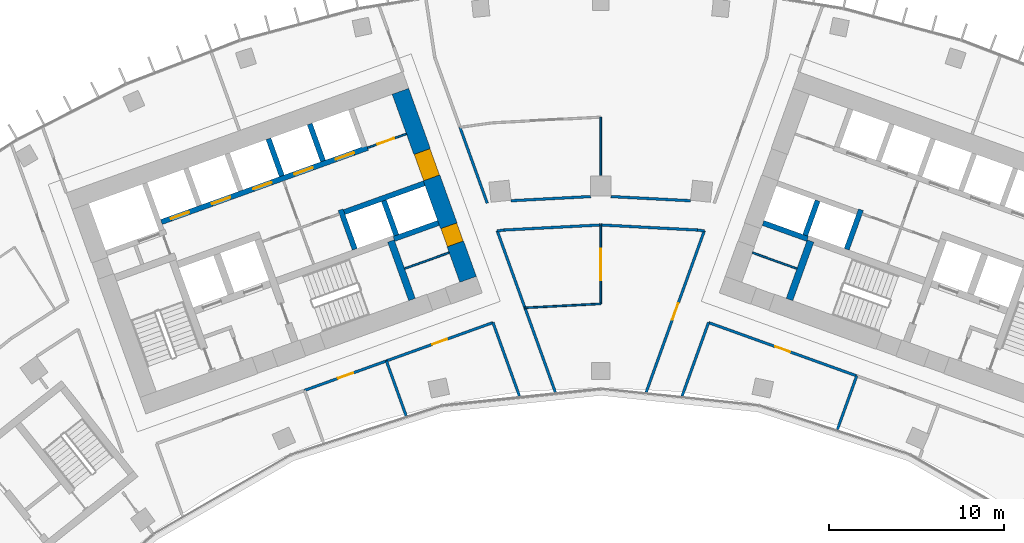
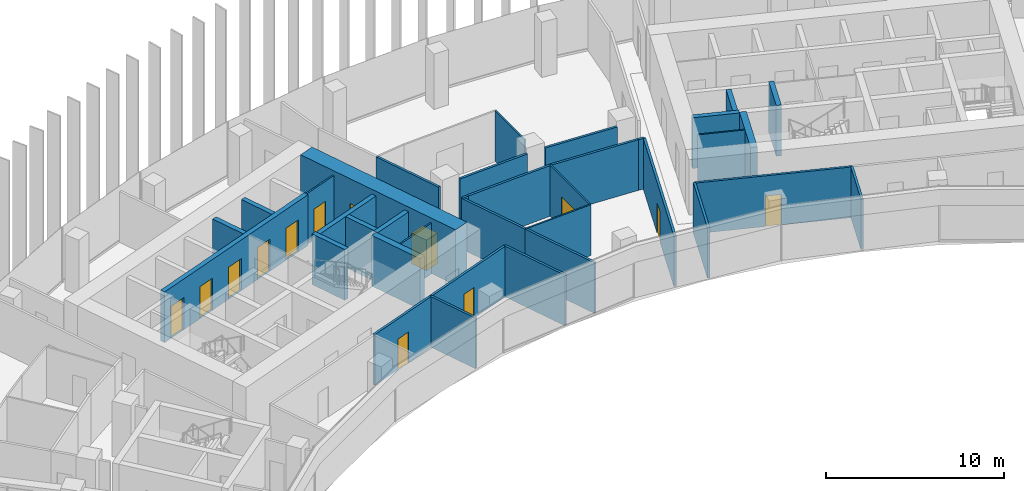
# One storey, part 14 of 20: 36 walls, 13 doors, 13 openings.
"""IFC4 building model written with IfcOpenShell, lengths in metres."""

from ifc_helpers import new_model, si_unit, direction, frame, frame_2d, origin, place, context, subcontext, project, spatial, rectangle, extrude, material, layer, layer_set, type_object, element, fill, save


model = new_model("IFC4")

# Units and contexts
model_context = context("Model", 3, precision=1e-05, world=origin(), true_north=direction((0.0, 1.0)))
body_context = subcontext(model_context, "Body", "Model", "MODEL_VIEW")
ifc_project = project(units=[si_unit("LENGTHUNIT", "METRE"), si_unit("AREAUNIT", "SQUARE_METRE"), si_unit("VOLUMEUNIT", "CUBIC_METRE"), si_unit("PLANEANGLEUNIT", "RADIAN"), si_unit("MASSUNIT", "GRAM", prefix="KILO")], contexts=[model_context])

# Site, building, storey
site_placement = place(None, origin())
site = spatial("IfcSite", under=ifc_project, at=site_placement, CompositionType="ELEMENT")
building_placement = place(site_placement, origin())
building = spatial("IfcBuilding", under=site, at=building_placement, Name="Stone Belt Terrace Tower", CompositionType="ELEMENT")
storey_placement = place(building_placement, frame((0.0, 0.0, 201.0)))
storey = spatial("IfcBuildingStorey", under=building, at=storey_placement, Name="L48", CompositionType="ELEMENT", Elevation=201.0)

# Wall
ifc_material_1 = material(Name="Plasterboard partition")
ifc_layer_1 = layer(ifc_material_1, 0.10009765625)
ifc_layer_set_1 = layer_set([ifc_layer_1], Name="Core partition 100")
wall_type_1 = type_object("IfcWallType", Name="Core partition 100", PredefinedType="PARTITIONING", material=ifc_layer_set_1)
wall_1_placement = place(storey_placement, frame((-11.187744140625, 50.2822265625, 0.0), z_axis=(0.0, 0.0, 1.0), x_axis=(0.940949642365, 0.338546555931, 0.0)))
element("IfcWall", 1, at=wall_1_placement, inside=storey, type_object=wall_type_1, Name="Core A wall", PredefinedType="PARTITIONING", context=body_context, shape_type="SweptSolid", body=[
    extrude(rectangle(XDim=2.699951171875, YDim=0.10009765625, at=frame_2d((1.35009765625, 0.0))), origin(), (0.0, 0.0, 1.0), 3.47998046875),
])

# Wall, opening, door
wall_2_placement = place(storey_placement, frame((-13.29638671875, 57.17529296875, 0.0), z_axis=(0.0, 0.0, 1.0), x_axis=(0.940904627055, 0.338671644496, 0.0)))
wall_2 = element("IfcWall", 2, at=wall_2_placement, inside=storey, type_object=wall_type_1, Name="Core A wall", PredefinedType="PARTITIONING", context=body_context, shape_type="SweptSolid", body=[
    extrude(rectangle(XDim=2.35009765625, YDim=0.10009765625, at=frame_2d((1.175048828125, 0.0))), origin(), (0.0, 0.0, 1.0), 3.47998046875),
])
opening_1_placement = place(wall_2_placement, frame((0.60009765625, 0.0, 0.0)))
opening_1 = element("IfcOpeningElement", 3, at=opening_1_placement, cuts=wall_2, Name="Opening L48-C01", PredefinedType="OPENING", context=body_context, shape_type="SweptSolid", body=[
    extrude(rectangle(XDim=1.0, YDim=2.10009765625, at=frame_2d((0.5, 1.050048828125))), frame((0.0, 0.06005859375, 0.0), z_axis=(0.0, -1.0, 0.0), x_axis=(1.0, 0.0, 0.0)), (0.0, 0.0, 1.0), 0.1201171875),
])
ifc_material_2 = material(Name="Timber door leaf", Category="wood")
door_type_1 = type_object("IfcDoorType", Name="Core room door 1000", OperationType="SINGLE_SWING_LEFT", PredefinedType="DOOR", material=ifc_material_2)
door_1_placement = place(opening_1_placement, origin())
door_1 = element("IfcDoor", 4, at=door_1_placement, inside=storey, type_object=door_type_1, Name="Door to Staff pantry core A", OperationType="SINGLE_SWING_LEFT", OverallHeight=2.10009765625, OverallWidth=1.0, PredefinedType="DOOR", context=body_context, shape_type="SweptSolid", body=[
    extrude(rectangle(XDim=1.0, YDim=2.10009765625, at=frame_2d((0.5, 1.050048828125))), frame((0.0, 0.02490234375, 0.0), z_axis=(0.0, -1.0, 0.0), x_axis=(1.0, 0.0, 0.0)), (0.0, 0.0, 1.0), 0.050048828125),
])
fill(opening_1, door_1)

# Wall
wall_3_placement = place(storey_placement, frame((11.187744140625, 50.2822265625, 0.0), z_axis=(0.0, 0.0, 1.0), x_axis=(-0.940949642365, 0.338546555931, 0.0)))
element("IfcWall", 5, at=wall_3_placement, inside=storey, type_object=wall_type_1, Name="Core B wall", PredefinedType="PARTITIONING", context=body_context, shape_type="SweptSolid", body=[
    extrude(rectangle(XDim=2.699951171875, YDim=0.10009765625, at=frame_2d((1.35009765625, 0.0))), origin(), (0.0, 0.0, 1.0), 3.47998046875),
])

# Wall, openings, doors
ifc_material_3 = material(Name="Concrete B60", Category="concrete")
ifc_layer_2 = layer(ifc_material_3, 1.0)
ifc_layer_set_2 = layer_set([ifc_layer_2], Name="Core wall 1000 B60")
wall_type_2 = type_object("IfcWallType", Name="Core wall 1000 B60", PredefinedType="SHEAR", material=ifc_layer_set_2)
wall_4_placement = place(storey_placement, frame((-7.567138671875, 49.672119140625, 0.0), z_axis=(0.0, 0.0, 1.0), x_axis=(-0.338625431531, 0.940921259788, 0.0)))
wall_4 = element("IfcWall", 6, at=wall_4_placement, inside=storey, type_object=wall_type_2, Name="Core A wall end_b L48", PredefinedType="SHEAR", context=body_context, shape_type="SweptSolid", body=[
    extrude(rectangle(XDim=11.400146484375, YDim=1.0, at=frame_2d((5.7001953125, 0.0))), origin(), (0.0, 0.0, 1.0), 3.800048828125),
])
opening_2_placement = place(wall_4_placement, frame((6.14990234375, 0.0, 0.0)))
opening_2 = element("IfcOpeningElement", 7, at=opening_2_placement, cuts=wall_4, Name="Opening L48-C07", PredefinedType="OPENING", context=body_context, shape_type="SweptSolid", body=[
    extrude(rectangle(XDim=1.60009765625, YDim=2.10009765625, at=frame_2d((0.800048828125, 1.050048828125))), frame((0.0, 0.510009765625, 0.0), z_axis=(0.0, -1.0, 0.0), x_axis=(1.0, 0.0, 0.0)), (0.0, 0.0, 1.0), 1.02001953125),
])
opening_3_placement = place(wall_4_placement, frame((2.14990234375, 0.0, 0.0)))
opening_3 = element("IfcOpeningElement", 8, at=opening_3_placement, cuts=wall_4, Name="Opening L48-C13", PredefinedType="OPENING", context=body_context, shape_type="SweptSolid", body=[
    extrude(rectangle(XDim=1.10009765625, YDim=2.10009765625, at=frame_2d((0.550048828125, 1.050048828125))), frame((0.0, 0.510009765625, 0.0), z_axis=(0.0, -1.0, 0.0), x_axis=(1.0, 0.0, 0.0)), (0.0, 0.0, 1.0), 1.02001953125),
])
door_type_2 = type_object("IfcDoorType", Name="Core room door 1100", OperationType="SINGLE_SWING_LEFT", PredefinedType="DOOR", material=ifc_material_2)
door_2_placement = place(opening_3_placement, origin())
door_2 = element("IfcDoor", 9, at=door_2_placement, inside=storey, type_object=door_type_2, Name="Door to Accessible WC core A", OperationType="SINGLE_SWING_RIGHT", OverallHeight=2.10009765625, OverallWidth=1.10009765625, PredefinedType="DOOR", context=body_context, shape_type="SweptSolid", body=[
    extrude(rectangle(XDim=1.10009765625, YDim=2.10009765625, at=frame_2d((0.550048828125, 1.050048828125))), frame((0.0, 0.47998046875, 0.0), z_axis=(0.0, -1.0, 0.0), x_axis=(1.0, 0.0, 0.0)), (0.0, 0.0, 1.0), 0.9599609375),
])
fill(opening_3, door_2)
ifc_material_4 = material(Name="Glazed aluminium door leaf", Category="aluminium")
door_type_3 = type_object("IfcDoorType", Name="Lift lobby entrance door 1600", OperationType="DOUBLE_DOOR_SINGLE_SWING", PredefinedType="DOOR", material=ifc_material_4)
door_3_placement = place(opening_2_placement, origin())
door_3 = element("IfcDoor", 10, at=door_3_placement, inside=storey, type_object=door_type_3, Name="Lift lobby entrance door core A", OperationType="DOUBLE_DOOR_SINGLE_SWING", OverallHeight=2.10009765625, OverallWidth=1.60009765625, PredefinedType="DOOR", context=body_context, shape_type="SweptSolid", body=[
    extrude(rectangle(XDim=1.60009765625, YDim=2.10009765625, at=frame_2d((0.800048828125, 1.050048828125))), frame((0.0, 0.47998046875, 0.0), z_axis=(0.0, -1.0, 0.0), x_axis=(1.0, 0.0, 0.0)), (0.0, 0.0, 1.0), 0.9599609375),
])
fill(opening_2, door_3)

ifc_material_5 = material(Name="Concrete B80", Category="concrete")
ifc_layer_3 = layer(ifc_material_5, 0.300048828125)
ifc_layer_set_3 = layer_set([ifc_layer_3], Name="Lift shaft wall 300")
wall_type_3 = type_object("IfcWallType", Name="Lift shaft wall 300", PredefinedType="SHEAR", material=ifc_layer_set_3)
wall_5_placement = place(storey_placement, frame((-25.05810546875, 52.9423828125, 0.0), z_axis=(0.0, 0.0, 1.0), x_axis=(0.940920770291, 0.338626791666, 0.0)))
wall_5 = element("IfcWall", 11, at=wall_5_placement, inside=storey, type_object=wall_type_3, Name="Core A wall", PredefinedType="SHEAR", context=body_context, shape_type="SweptSolid", body=[
    extrude(rectangle(XDim=12.500244140625, YDim=0.300048828125, at=frame_2d((6.25, 0.0))), origin(), (0.0, 0.0, 1.0), 3.47998046875),
])
opening_4_placement = place(wall_5_placement, frame((0.570068359375, 0.0, 0.0)))
opening_4 = element("IfcOpeningElement", 12, at=opening_4_placement, cuts=wall_5, Name="Opening L48-LD01", PredefinedType="OPENING", context=body_context, shape_type="SweptSolid", body=[
    extrude(rectangle(XDim=1.10009765625, YDim=2.199951171875, at=frame_2d((0.550048828125, 1.10009765625))), frame((0.0, 0.159912109375, 0.0), z_axis=(0.0, -1.0, 0.0), x_axis=(1.0, 0.0, 0.0)), (0.0, 0.0, 1.0), 0.320068359375),
])
opening_5_placement = place(wall_5_placement, frame((3.070068359375, 0.0, 0.0)))
opening_5 = element("IfcOpeningElement", 13, at=opening_5_placement, cuts=wall_5, Name="Opening L48-LD02", PredefinedType="OPENING", context=body_context, shape_type="SweptSolid", body=[
    extrude(rectangle(XDim=1.10009765625, YDim=2.199951171875, at=frame_2d((0.550048828125, 1.10009765625))), frame((0.0, 0.159912109375, 0.0), z_axis=(0.0, -1.0, 0.0), x_axis=(1.0, 0.0, 0.0)), (0.0, 0.0, 1.0), 0.320068359375),
])
opening_6_placement = place(wall_5_placement, frame((5.570068359375, 0.0, 0.0)))
opening_6 = element("IfcOpeningElement", 14, at=opening_6_placement, cuts=wall_5, Name="Opening L48-LD03", PredefinedType="OPENING", context=body_context, shape_type="SweptSolid", body=[
    extrude(rectangle(XDim=1.10009765625, YDim=2.199951171875, at=frame_2d((0.550048828125, 1.10009765625))), frame((0.0, 0.159912109375, 0.0), z_axis=(0.0, -1.0, 0.0), x_axis=(1.0, 0.0, 0.0)), (0.0, 0.0, 1.0), 0.320068359375),
])
opening_7_placement = place(wall_5_placement, frame((8.070068359375, 0.0, 0.0)))
opening_7 = element("IfcOpeningElement", 15, at=opening_7_placement, cuts=wall_5, Name="Opening L48-LD04", PredefinedType="OPENING", context=body_context, shape_type="SweptSolid", body=[
    extrude(rectangle(XDim=1.10009765625, YDim=2.199951171875, at=frame_2d((0.550048828125, 1.10009765625))), frame((0.0, 0.159912109375, 0.0), z_axis=(0.0, -1.0, 0.0), x_axis=(1.0, 0.0, 0.0)), (0.0, 0.0, 1.0), 0.320068359375),
])
opening_8_placement = place(wall_5_placement, frame((10.570068359375, 0.0, 0.0)))
opening_8 = element("IfcOpeningElement", 16, at=opening_8_placement, cuts=wall_5, Name="Opening L48-LD05", PredefinedType="OPENING", context=body_context, shape_type="SweptSolid", body=[
    extrude(rectangle(XDim=1.10009765625, YDim=2.199951171875, at=frame_2d((0.550048828125, 1.10009765625))), frame((0.0, 0.159912109375, 0.0), z_axis=(0.0, -1.0, 0.0), x_axis=(1.0, 0.0, 0.0)), (0.0, 0.0, 1.0), 0.320068359375),
])
ifc_material_6 = material(Name="Stainless steel door leaf", Category="steel")
door_type_4 = type_object("IfcDoorType", Name="Landing door 1100", OperationType="SLIDING_TO_LEFT", PredefinedType="DOOR", material=ifc_material_6)
door_4_placement = place(opening_4_placement, origin())
door_4 = element("IfcDoor", 17, at=door_4_placement, inside=storey, type_object=door_type_4, Name="Landing door MR1 core A", OperationType="SLIDING_TO_LEFT", OverallHeight=2.199951171875, OverallWidth=1.10009765625, PredefinedType="DOOR", context=body_context, shape_type="SweptSolid", body=[
    extrude(rectangle(XDim=1.10009765625, YDim=2.199951171875, at=frame_2d((0.550048828125, 1.10009765625))), frame((0.0, 0.02490234375, 0.0), z_axis=(0.0, -1.0, 0.0), x_axis=(1.0, 0.0, 0.0)), (0.0, 0.0, 1.0), 0.050048828125),
])
fill(opening_4, door_4)
door_5_placement = place(opening_5_placement, origin())
door_5 = element("IfcDoor", 18, at=door_5_placement, inside=storey, type_object=door_type_4, Name="Landing door MR2 core A", OperationType="SLIDING_TO_LEFT", OverallHeight=2.199951171875, OverallWidth=1.10009765625, PredefinedType="DOOR", context=body_context, shape_type="SweptSolid", body=[
    extrude(rectangle(XDim=1.10009765625, YDim=2.199951171875, at=frame_2d((0.550048828125, 1.10009765625))), frame((0.0, 0.02490234375, 0.0), z_axis=(0.0, -1.0, 0.0), x_axis=(1.0, 0.0, 0.0)), (0.0, 0.0, 1.0), 0.050048828125),
])
fill(opening_5, door_5)
door_6_placement = place(opening_6_placement, origin())
door_6 = element("IfcDoor", 19, at=door_6_placement, inside=storey, type_object=door_type_4, Name="Landing door MR3 core A", OperationType="SLIDING_TO_LEFT", OverallHeight=2.199951171875, OverallWidth=1.10009765625, PredefinedType="DOOR", context=body_context, shape_type="SweptSolid", body=[
    extrude(rectangle(XDim=1.10009765625, YDim=2.199951171875, at=frame_2d((0.550048828125, 1.10009765625))), frame((0.0, 0.02490234375, 0.0), z_axis=(0.0, -1.0, 0.0), x_axis=(1.0, 0.0, 0.0)), (0.0, 0.0, 1.0), 0.050048828125),
])
fill(opening_6, door_6)
door_7_placement = place(opening_7_placement, origin())
door_7 = element("IfcDoor", 20, at=door_7_placement, inside=storey, type_object=door_type_4, Name="Landing door MR4 core A", OperationType="SLIDING_TO_LEFT", OverallHeight=2.199951171875, OverallWidth=1.10009765625, PredefinedType="DOOR", context=body_context, shape_type="SweptSolid", body=[
    extrude(rectangle(XDim=1.10009765625, YDim=2.199951171875, at=frame_2d((0.550048828125, 1.10009765625))), frame((0.0, 0.02490234375, 0.0), z_axis=(0.0, -1.0, 0.0), x_axis=(1.0, 0.0, 0.0)), (0.0, 0.0, 1.0), 0.050048828125),
])
fill(opening_7, door_7)
door_8_placement = place(opening_8_placement, origin())
door_8 = element("IfcDoor", 21, at=door_8_placement, inside=storey, type_object=door_type_4, Name="Landing door MR5 core A", OperationType="SLIDING_TO_LEFT", OverallHeight=2.199951171875, OverallWidth=1.10009765625, PredefinedType="DOOR", context=body_context, shape_type="SweptSolid", body=[
    extrude(rectangle(XDim=1.10009765625, YDim=2.199951171875, at=frame_2d((0.550048828125, 1.10009765625))), frame((0.0, 0.02490234375, 0.0), z_axis=(0.0, -1.0, 0.0), x_axis=(1.0, 0.0, 0.0)), (0.0, 0.0, 1.0), 0.050048828125),
])
fill(opening_8, door_8)

# Walls
wall_6_placement = place(storey_placement, frame((-18.193115234375, 55.572509765625, 0.0), z_axis=(0.0, 0.0, 1.0), x_axis=(-0.338535034312, 0.940953787677, 0.0)))
element("IfcWall", 22, at=wall_6_placement, inside=storey, type_object=wall_type_3, Name="Core A wall", PredefinedType="SHEAR", context=body_context, shape_type="SweptSolid", body=[
    extrude(rectangle(XDim=2.25, YDim=0.300048828125, at=frame_2d((1.125, 0.0))), origin(), (0.0, 0.0, 1.0), 3.47998046875),
])
wall_7_placement = place(storey_placement, frame((-14.029052734375, 51.38525390625, 0.0), z_axis=(0.0, 0.0, 1.0), x_axis=(-0.338661829791, 0.940908159728, 0.0)))
element("IfcWall", 23, at=wall_7_placement, inside=storey, type_object=wall_type_3, Name="Core A wall", PredefinedType="SHEAR", context=body_context, shape_type="SweptSolid", body=[
    extrude(rectangle(XDim=2.39990234375, YDim=0.300048828125, at=frame_2d((1.199951171875, 0.0))), origin(), (0.0, 0.0, 1.0), 3.47998046875),
])
wall_8_placement = place(storey_placement, frame((-14.6328125, 53.506103515625, 0.0), z_axis=(0.0, 0.0, 1.0), x_axis=(0.940931684323, 0.338596464007, 0.0)))
element("IfcWall", 24, at=wall_8_placement, inside=storey, type_object=wall_type_3, Name="Core A wall", PredefinedType="SHEAR", context=body_context, shape_type="SweptSolid", body=[
    extrude(rectangle(XDim=4.849609375, YDim=0.300048828125, at=frame_2d((2.4248046875, 0.0))), origin(), (0.0, 0.0, 1.0), 3.47998046875),
])
wall_9_placement = place(storey_placement, frame((-15.8408203125, 56.419189453125, 0.0), z_axis=(0.0, 0.0, 1.0), x_axis=(-0.338569601369, 0.940941350472, 0.0)))
element("IfcWall", 25, at=wall_9_placement, inside=storey, type_object=wall_type_3, Name="Core A wall", PredefinedType="SHEAR", context=body_context, shape_type="SweptSolid", body=[
    extrude(rectangle(XDim=2.249755859375, YDim=0.300048828125, at=frame_2d((1.125, 0.0))), origin(), (0.0, 0.0, 1.0), 3.47998046875),
])
wall_10_placement = place(storey_placement, frame((-11.797119140625, 51.975830078125, 0.0), z_axis=(0.0, 0.0, 1.0), x_axis=(0.940910465161, 0.33865542451, 0.0)))
element("IfcWall", 26, at=wall_10_placement, inside=storey, type_object=wall_type_3, Name="Core A wall", PredefinedType="SHEAR", context=body_context, shape_type="SweptSolid", body=[
    extrude(rectangle(XDim=2.69970703125, YDim=0.300048828125, at=frame_2d((1.349853515625, 0.0))), origin(), (0.0, 0.0, 1.0), 3.47998046875),
])
wall_11_placement = place(storey_placement, frame((-11.659912109375, 52.184814453125, 0.0), z_axis=(0.0, 0.0, 1.0), x_axis=(-0.338670064856, 0.940905195634, 0.0)))
element("IfcWall", 27, at=wall_11_placement, inside=storey, type_object=wall_type_3, Name="Core A wall", PredefinedType="SHEAR", context=body_context, shape_type="SweptSolid", body=[
    extrude(rectangle(XDim=2.099853515625, YDim=0.300048828125, at=frame_2d((1.0498046875, 0.0))), origin(), (0.0, 0.0, 1.0), 3.47998046875),
])
wall_12_placement = place(storey_placement, frame((14.029052734375, 51.38525390625, 0.0), z_axis=(0.0, 0.0, 1.0), x_axis=(0.338661829791, 0.940908159728, 0.0)))
element("IfcWall", 28, at=wall_12_placement, inside=storey, type_object=wall_type_3, Name="Core B wall", PredefinedType="SHEAR", context=body_context, shape_type="SweptSolid", body=[
    extrude(rectangle(XDim=2.39990234375, YDim=0.300048828125, at=frame_2d((1.199951171875, 0.0))), origin(), (0.0, 0.0, 1.0), 3.47998046875),
])
wall_13_placement = place(storey_placement, frame((11.797119140625, 51.975830078125, 0.0), z_axis=(0.0, 0.0, 1.0), x_axis=(-0.940910465161, 0.33865542451, 0.0)))
element("IfcWall", 29, at=wall_13_placement, inside=storey, type_object=wall_type_3, Name="Core B wall", PredefinedType="SHEAR", context=body_context, shape_type="SweptSolid", body=[
    extrude(rectangle(XDim=2.69970703125, YDim=0.300048828125, at=frame_2d((1.349853515625, 0.0))), origin(), (0.0, 0.0, 1.0), 3.47998046875),
])
wall_14_placement = place(storey_placement, frame((11.659912109375, 52.184814453125, 0.0), z_axis=(0.0, 0.0, 1.0), x_axis=(0.338670064856, 0.940905195634, 0.0)))
element("IfcWall", 30, at=wall_14_placement, inside=storey, type_object=wall_type_3, Name="Core B wall", PredefinedType="SHEAR", context=body_context, shape_type="SweptSolid", body=[
    extrude(rectangle(XDim=2.099853515625, YDim=0.300048828125, at=frame_2d((1.0498046875, 0.0))), origin(), (0.0, 0.0, 1.0), 3.47998046875),
])
ifc_material_7 = material(Name="Gypsum board partition")
ifc_layer_4 = layer(ifc_material_7, 0.10009765625)
ifc_layer_set_4 = layer_set([ifc_layer_4], Name="PARTITION 100")
wall_type_4 = type_object("IfcWallType", Name="PARTITION 100", PredefinedType="PARTITIONING", material=ifc_layer_set_4)
wall_15_placement = place(storey_placement, frame((-4.324951171875, 48.049072265625, 0.0), z_axis=(0.0, 0.0, 1.0), x_axis=(0.998639544956, 0.05214459944, 0.0)))
element("IfcWall", 31, at=wall_15_placement, inside=storey, type_object=wall_type_4, Name="L48/wall/i082", PredefinedType="PARTITIONING", context=body_context, shape_type="SweptSolid", body=[
    extrude(rectangle(XDim=4.330810546875, YDim=0.10009765625, at=frame_2d((2.16552734375, 0.0))), origin(), (0.0, 0.0, 1.0), 3.47998046875),
])

# Wall, opening, door
wall_16_placement = place(storey_placement, frame((0.0, 48.27490234375, 0.0), z_axis=(0.0, 0.0, 1.0), x_axis=(0.0, 1.0, 0.0)))
wall_16 = element("IfcWall", 32, at=wall_16_placement, inside=storey, type_object=wall_type_4, Name="L48/wall/i083", PredefinedType="PARTITIONING", context=body_context, shape_type="SweptSolid", body=[
    extrude(rectangle(XDim=4.5, YDim=0.10009765625, at=frame_2d((2.25, 0.0))), origin(), (0.0, 0.0, 1.0), 3.47998046875),
])
opening_9_placement = place(wall_16_placement, frame((1.35009765625, 0.0, 0.0)))
opening_9 = element("IfcOpeningElement", 33, at=opening_9_placement, cuts=wall_16, Name="Opening D-D1-26", PredefinedType="OPENING", context=body_context, shape_type="SweptSolid", body=[
    extrude(rectangle(XDim=1.800048828125, YDim=2.10009765625, at=frame_2d((0.89990234375, 1.050048828125))), frame((0.0, 0.06005859375, 0.0), z_axis=(0.0, -1.0, 0.0), x_axis=(1.0, 0.0, 0.0)), (0.0, 0.0, 1.0), 0.1201171875),
])
door_type_5 = type_object("IfcDoorType", Name="DOUBLE DOOR 1800 X 2100", OperationType="DOUBLE_DOOR_SINGLE_SWING", PredefinedType="DOOR", material=ifc_material_2)
door_9_placement = place(opening_9_placement, origin())
door_9 = element("IfcDoor", 34, at=door_9_placement, inside=storey, type_object=door_type_5, Name="L48/door/i26", OperationType="DOUBLE_DOOR_SINGLE_SWING", OverallHeight=2.10009765625, OverallWidth=1.800048828125, PredefinedType="DOOR", context=body_context, shape_type="SweptSolid", body=[
    extrude(rectangle(XDim=1.800048828125, YDim=2.10009765625, at=frame_2d((0.89990234375, 1.050048828125))), frame((0.0, 0.02490234375, 0.0), z_axis=(0.0, -1.0, 0.0), x_axis=(1.0, 0.0, 0.0)), (0.0, 0.0, 1.0), 0.050048828125),
])
fill(opening_9, door_9)

# Walls
wall_17_placement = place(storey_placement, frame((0.0, 55.60498046875, 0.0), z_axis=(0.0, 0.0, 1.0), x_axis=(0.0, 1.0, 0.0)))
element("IfcWall", 35, at=wall_17_placement, inside=storey, type_object=wall_type_4, Name="L48/wall/i084", PredefinedType="PARTITIONING", context=body_context, shape_type="SweptSolid", body=[
    extrude(rectangle(XDim=3.320068359375, YDim=0.10009765625, at=frame_2d((1.66015625, 0.0))), origin(), (0.0, 0.0, 1.0), 3.47998046875),
])
ifc_layer_5 = layer(ifc_material_7, 0.14990234375)
ifc_layer_set_5 = layer_set([ifc_layer_5], Name="PARTITION 150 EI 60")
wall_type_5 = type_object("IfcWallType", Name="PARTITION 150 EI 60", PredefinedType="PARTITIONING", material=ifc_layer_set_5)
wall_18_placement = place(storey_placement, frame((-4.638427734375, 43.012451171875, 0.0), z_axis=(0.0, 0.0, 1.0), x_axis=(-0.338583902482, 0.940936204522, 0.0)))
element("IfcWall", 36, at=wall_18_placement, inside=storey, type_object=wall_type_5, Name="L48/wall/i007", PredefinedType="PARTITIONING", context=body_context, shape_type="SweptSolid", body=[
    extrude(rectangle(XDim=4.464111328125, YDim=0.14990234375, at=frame_2d((2.23193359375, 0.0))), origin(), (0.0, 0.0, 1.0), 3.47998046875),
])
wall_19_placement = place(storey_placement, frame((-4.326904296875, 48.054931640625, 0.0), z_axis=(0.0, 0.0, 1.0), x_axis=(0.338554314083, -0.940946851005, 0.0)))
element("IfcWall", 37, at=wall_19_placement, inside=storey, type_object=wall_type_5, Name="L48/wall/i009", PredefinedType="PARTITIONING", context=body_context, shape_type="SweptSolid", body=[
    extrude(rectangle(XDim=5.130126953125, YDim=0.14990234375, at=frame_2d((2.56494140625, 0.0))), origin(), (0.0, 0.0, 1.0), 3.47998046875),
])
wall_20_placement = place(storey_placement, frame((-5.906005859375, 52.44091796875, 0.0), z_axis=(0.0, 0.0, 1.0), x_axis=(0.338671379008, -0.940904722616, 0.0)))
element("IfcWall", 38, at=wall_20_placement, inside=storey, type_object=wall_type_5, Name="L48/wall/i010", PredefinedType="PARTITIONING", context=body_context, shape_type="SweptSolid", body=[
    extrude(rectangle(XDim=4.674072265625, YDim=0.14990234375, at=frame_2d((2.3369140625, 0.0))), origin(), (0.0, 0.0, 1.0), 3.47998046875),
])
wall_21_placement = place(storey_placement, frame((-8.032958984375, 58.35107421875, 0.0), z_axis=(0.0, 0.0, 1.0), x_axis=(0.33846588751, -0.940978662347, 0.0)))
element("IfcWall", 39, at=wall_21_placement, inside=storey, type_object=wall_type_5, Name="L48/wall/i013", PredefinedType="PARTITIONING", context=body_context, shape_type="SweptSolid", body=[
    extrude(rectangle(XDim=4.602783203125, YDim=0.14990234375, at=frame_2d((2.30126953125, 0.0))), origin(), (0.0, 0.0, 1.0), 3.47998046875),
])

# Wall, opening, door
wall_22_placement = place(storey_placement, frame((-12.221923828125, 45.02099609375, 0.0), z_axis=(0.0, 0.0, 1.0), x_axis=(-0.940926851829, -0.338609892807, 0.0)))
wall_22 = element("IfcWall", 40, at=wall_22_placement, inside=storey, type_object=wall_type_5, Name="L48/wall/i015", PredefinedType="PARTITIONING", context=body_context, shape_type="SweptSolid", body=[
    extrude(rectangle(XDim=4.970703125, YDim=0.14990234375, at=frame_2d((2.4853515625, 0.0))), origin(), (0.0, 0.0, 1.0), 3.47998046875),
])
opening_10_placement = place(wall_22_placement, frame((2.035400390625, 0.0, 0.0)))
opening_10 = element("IfcOpeningElement", 41, at=opening_10_placement, cuts=wall_22, Name="Opening D-D1-02", PredefinedType="OPENING", context=body_context, shape_type="SweptSolid", body=[
    extrude(rectangle(XDim=0.89990234375, YDim=2.10009765625, at=frame_2d((0.449951171875, 1.050048828125))), frame((0.0, 0.0849609375, 0.0), z_axis=(0.0, -1.0, 0.0), x_axis=(1.0, 0.0, 0.0)), (0.0, 0.0, 1.0), 0.169921875),
])
door_type_6 = type_object("IfcDoorType", Name="OFFICE DOOR 900 X 2100", OperationType="NOTDEFINED", PredefinedType="DOOR", material=ifc_material_2)
door_10_placement = place(opening_10_placement, origin())
door_10 = element("IfcDoor", 42, at=door_10_placement, inside=storey, type_object=door_type_6, Name="L48/door/i02", OperationType="SINGLE_SWING_RIGHT", OverallHeight=2.10009765625, OverallWidth=0.89990234375, PredefinedType="DOOR", context=body_context, shape_type="SweptSolid", body=[
    extrude(rectangle(XDim=0.89990234375, YDim=2.10009765625, at=frame_2d((0.449951171875, 1.050048828125))), frame((0.0, 0.02490234375, 0.0), z_axis=(0.0, -1.0, 0.0), x_axis=(1.0, 0.0, 0.0)), (0.0, 0.0, 1.0), 0.050048828125),
])
fill(opening_10, door_10)

wall_23_placement = place(storey_placement, frame((-6.14892578125, 47.20703125, 0.0), z_axis=(0.0, 0.0, 1.0), x_axis=(-0.940919170352, -0.338631237284, 0.0)))
wall_23 = element("IfcWall", 43, at=wall_23_placement, inside=storey, type_object=wall_type_5, Name="L48/wall/i016", PredefinedType="PARTITIONING", context=body_context, shape_type="SweptSolid", body=[
    extrude(rectangle(XDim=6.467041015625, YDim=0.14990234375, at=frame_2d((3.2333984375, 0.0))), origin(), (0.0, 0.0, 1.0), 3.47998046875),
])
opening_11_placement = place(wall_23_placement, frame((2.783447265625, 0.0, 0.0)))
opening_11 = element("IfcOpeningElement", 44, at=opening_11_placement, cuts=wall_23, Name="Opening D-D1-03", PredefinedType="OPENING", context=body_context, shape_type="SweptSolid", body=[
    extrude(rectangle(XDim=0.89990234375, YDim=2.10009765625, at=frame_2d((0.449951171875, 1.050048828125))), frame((0.0, 0.0849609375, 0.0), z_axis=(0.0, -1.0, 0.0), x_axis=(1.0, 0.0, 0.0)), (0.0, 0.0, 1.0), 0.169921875),
])
door_11_placement = place(opening_11_placement, origin())
door_11 = element("IfcDoor", 45, at=door_11_placement, inside=storey, type_object=door_type_6, Name="L48/door/i03", OperationType="SINGLE_SWING_RIGHT", OverallHeight=2.10009765625, OverallWidth=0.89990234375, PredefinedType="DOOR", context=body_context, shape_type="SweptSolid", body=[
    extrude(rectangle(XDim=0.89990234375, YDim=2.10009765625, at=frame_2d((0.449951171875, 1.050048828125))), frame((0.0, 0.02490234375, 0.0), z_axis=(0.0, -1.0, 0.0), x_axis=(1.0, 0.0, 0.0)), (0.0, 0.0, 1.0), 0.050048828125),
])
fill(opening_11, door_11)

# Walls
wall_24_placement = place(storey_placement, frame((-12.22802734375, 45.01904296875, 0.0), z_axis=(0.0, 0.0, 1.0), x_axis=(0.338719468273, -0.940887411869, 0.0)))
element("IfcWall", 46, at=wall_24_placement, inside=storey, type_object=wall_type_5, Name="L48/wall/i018", PredefinedType="PARTITIONING", context=body_context, shape_type="SweptSolid", body=[
    extrude(rectangle(XDim=3.334228515625, YDim=0.14990234375, at=frame_2d((1.6669921875, 0.0))), origin(), (0.0, 0.0, 1.0), 3.47998046875),
])
wall_25_placement = place(storey_placement, frame((6.14990234375, 47.212890625, 0.0), z_axis=(0.0, 0.0, 1.0), x_axis=(-0.338583902482, -0.940936204522, 0.0)))
element("IfcWall", 47, at=wall_25_placement, inside=storey, type_object=wall_type_5, Name="L48/wall/i020", PredefinedType="PARTITIONING", context=body_context, shape_type="SweptSolid", body=[
    extrude(rectangle(XDim=4.464111328125, YDim=0.14990234375, at=frame_2d((2.23193359375, 0.0))), origin(), (0.0, 0.0, 1.0), 3.47998046875),
])

# Wall, opening, door
wall_26_placement = place(storey_placement, frame((2.590087890625, 43.227783203125, 0.0), z_axis=(0.0, 0.0, 1.0), x_axis=(0.33864618549, 0.940913790447, 0.0)))
wall_26 = element("IfcWall", 48, at=wall_26_placement, inside=storey, type_object=wall_type_5, Name="L48/wall/i022", PredefinedType="PARTITIONING", context=body_context, shape_type="SweptSolid", body=[
    extrude(rectangle(XDim=9.791748046875, YDim=0.14990234375, at=frame_2d((4.89599609375, 0.0))), origin(), (0.0, 0.0, 1.0), 3.47998046875),
])
opening_12_placement = place(wall_26_placement, frame((4.39599609375, 0.0, 0.0)))
opening_12 = element("IfcOpeningElement", 49, at=opening_12_placement, cuts=wall_26, Name="Opening D-D1-25", PredefinedType="OPENING", context=body_context, shape_type="SweptSolid", body=[
    extrude(rectangle(XDim=1.0, YDim=2.10009765625, at=frame_2d((0.5, 1.050048828125))), frame((0.0, 0.0849609375, 0.0), z_axis=(0.0, -1.0, 0.0), x_axis=(1.0, 0.0, 0.0)), (0.0, 0.0, 1.0), 0.169921875),
])
ifc_material_8 = material(Name="Timber fire door leaf", Category="wood")
door_type_7 = type_object("IfcDoorType", Name="TENANCY ENTRANCE DOOR 1000 X 2100", OperationType="NOTDEFINED", PredefinedType="DOOR", material=ifc_material_8)
door_12_placement = place(opening_12_placement, origin())
door_12 = element("IfcDoor", 50, at=door_12_placement, inside=storey, type_object=door_type_7, Name="L48/door/i25", OperationType="SINGLE_SWING_LEFT", OverallHeight=2.10009765625, OverallWidth=1.0, PredefinedType="DOOR", context=body_context, shape_type="SweptSolid", body=[
    extrude(rectangle(XDim=1.0, YDim=2.10009765625, at=frame_2d((0.5, 1.050048828125))), frame((0.0, 0.02490234375, 0.0), z_axis=(0.0, -1.0, 0.0), x_axis=(1.0, 0.0, 0.0)), (0.0, 0.0, 1.0), 0.050048828125),
])
fill(opening_12, door_12)

wall_27_placement = place(storey_placement, frame((14.60498046875, 44.1640625, 0.0), z_axis=(0.0, 0.0, 1.0), x_axis=(-0.940930346997, 0.338600180303, 0.0)))
wall_27 = element("IfcWall", 51, at=wall_27_placement, inside=storey, type_object=wall_type_5, Name="L48/wall/i032", PredefinedType="PARTITIONING", context=body_context, shape_type="SweptSolid", body=[
    extrude(rectangle(XDim=8.98681640625, YDim=0.14990234375, at=frame_2d((4.493408203125, 0.0))), origin(), (0.0, 0.0, 1.0), 3.47998046875),
])
opening_13_placement = place(wall_27_placement, frame((4.04345703125, 0.0, 0.0)))
opening_13 = element("IfcOpeningElement", 52, at=opening_13_placement, cuts=wall_27, Name="Opening D-D1-06", PredefinedType="OPENING", context=body_context, shape_type="SweptSolid", body=[
    extrude(rectangle(XDim=0.89990234375, YDim=2.10009765625, at=frame_2d((0.449951171875, 1.050048828125))), frame((0.0, 0.0849609375, 0.0), z_axis=(0.0, -1.0, 0.0), x_axis=(1.0, 0.0, 0.0)), (0.0, 0.0, 1.0), 0.169921875),
])
door_13_placement = place(opening_13_placement, origin())
door_13 = element("IfcDoor", 53, at=door_13_placement, inside=storey, type_object=door_type_6, Name="L48/door/i06", OperationType="SINGLE_SWING_RIGHT", OverallHeight=2.10009765625, OverallWidth=0.89990234375, PredefinedType="DOOR", context=body_context, shape_type="SweptSolid", body=[
    extrude(rectangle(XDim=0.89990234375, YDim=2.10009765625, at=frame_2d((0.449951171875, 1.050048828125))), frame((0.0, 0.02490234375, 0.0), z_axis=(0.0, -1.0, 0.0), x_axis=(1.0, 0.0, 0.0)), (0.0, 0.0, 1.0), 0.050048828125),
])
fill(opening_13, door_13)

# Walls
wall_28_placement = place(storey_placement, frame((14.59912109375, 44.1650390625, 0.0), z_axis=(0.0, 0.0, 1.0), x_axis=(-0.338663689351, -0.940907490413, 0.0)))
element("IfcWall", 54, at=wall_28_placement, inside=storey, type_object=wall_type_5, Name="L48/wall/i035", PredefinedType="PARTITIONING", context=body_context, shape_type="SweptSolid", body=[
    extrude(rectangle(XDim=3.2548828125, YDim=0.14990234375, at=frame_2d((1.62744140625, 0.0))), origin(), (0.0, 0.0, 1.0), 3.47998046875),
])
wall_29_placement = place(storey_placement, frame((5.904052734375, 52.43603515625, 0.0), z_axis=(0.0, 0.0, 1.0), x_axis=(-0.991780421826, 0.127951533338, 0.0)))
element("IfcWall", 55, at=wall_29_placement, inside=storey, type_object=wall_type_5, Name="L48/wall/i076", PredefinedType="PARTITIONING", context=body_context, shape_type="SweptSolid", body=[
    extrude(rectangle(XDim=0.39111328125, YDim=0.14990234375, at=frame_2d((0.195556640625, 0.0))), origin(), (0.0, 0.0, 1.0), 3.47998046875),
])
for number, where, z_axis, x_axis, name in (
    (56, (5.51611328125, 52.486083984375, 0.0), (0.0, 0.0, 1.0), (-0.998632077757, 0.052287410285, 0.0), "L48/wall/i077"),
    (57, (0.0, 52.77490234375, 0.0), (0.0, 0.0, 1.0), (-0.998632077757, -0.052287410285, 0.0), "L48/wall/i078"),
):
    element("IfcWall", number, at=place(storey_placement, frame(where, z_axis=z_axis, x_axis=x_axis)), inside=storey, type_object=wall_type_5, Name=name, PredefinedType="PARTITIONING", context=body_context, shape_type="SweptSolid", body=[
        extrude(rectangle(XDim=5.523681640625, YDim=0.14990234375, at=frame_2d((2.76171875, 0.0))), origin(), (0.0, 0.0, 1.0), 3.47998046875),
    ])
wall_30_placement = place(storey_placement, frame((-5.51611328125, 52.486083984375, 0.0), z_axis=(0.0, 0.0, 1.0), x_axis=(-0.991780421826, -0.127951533338, 0.0)))
element("IfcWall", 58, at=wall_30_placement, inside=storey, type_object=wall_type_5, Name="L48/wall/i079", PredefinedType="PARTITIONING", context=body_context, shape_type="SweptSolid", body=[
    extrude(rectangle(XDim=0.39111328125, YDim=0.14990234375, at=frame_2d((0.195556640625, 0.0))), origin(), (0.0, 0.0, 1.0), 3.47998046875),
])
for number, where, z_axis, x_axis, name in (
    (59, (0.57275390625, 54.39501953125, 0.0), (0.0, 0.0, 1.0), (0.998631882583, -0.052291137769, 0.0), "L48/wall/i080"),
    (60, (-5.114013671875, 54.1572265625, 0.0), (0.0, 0.0, 1.0), (0.998631882583, 0.052291137769, 0.0), "L48/wall/i081"),
):
    element("IfcWall", number, at=place(storey_placement, frame(where, z_axis=z_axis, x_axis=x_axis)), inside=storey, type_object=wall_type_5, Name=name, PredefinedType="PARTITIONING", context=body_context, shape_type="SweptSolid", body=[
        extrude(rectangle(XDim=4.54736328125, YDim=0.14990234375, at=frame_2d((2.273681640625, 0.0))), origin(), (0.0, 0.0, 1.0), 3.47998046875),
    ])
ifc_layer_6 = layer(ifc_material_5, 0.39990234375)
ifc_layer_set_6 = layer_set([ifc_layer_6], Name="Stair enclosure wall 400")
wall_type_6 = type_object("IfcWallType", Name="Stair enclosure wall 400", PredefinedType="SHEAR", material=ifc_layer_set_6)
for number, where, z_axis, x_axis, name in (
    (61, (-10.766357421875, 48.520751953125, 0.0), (0.0, 0.0, 1.0), (-0.338626928157, 0.94092072117, 0.0), "Core A wall"),
    (62, (10.766357421875, 48.520751953125, 0.0), (0.0, 0.0, 1.0), (0.338626928157, 0.94092072117, 0.0), "Core B wall"),
):
    element("IfcWall", number, at=place(storey_placement, frame(where, z_axis=z_axis, x_axis=x_axis)), inside=storey, type_object=wall_type_6, Name=name, PredefinedType="SHEAR", context=body_context, shape_type="SweptSolid", body=[
        extrude(rectangle(XDim=3.550048828125, YDim=0.39990234375, at=frame_2d((1.77490234375, 0.0))), origin(), (0.0, 0.0, 1.0), 3.47998046875),
    ])

save(model, "model.ifc")
